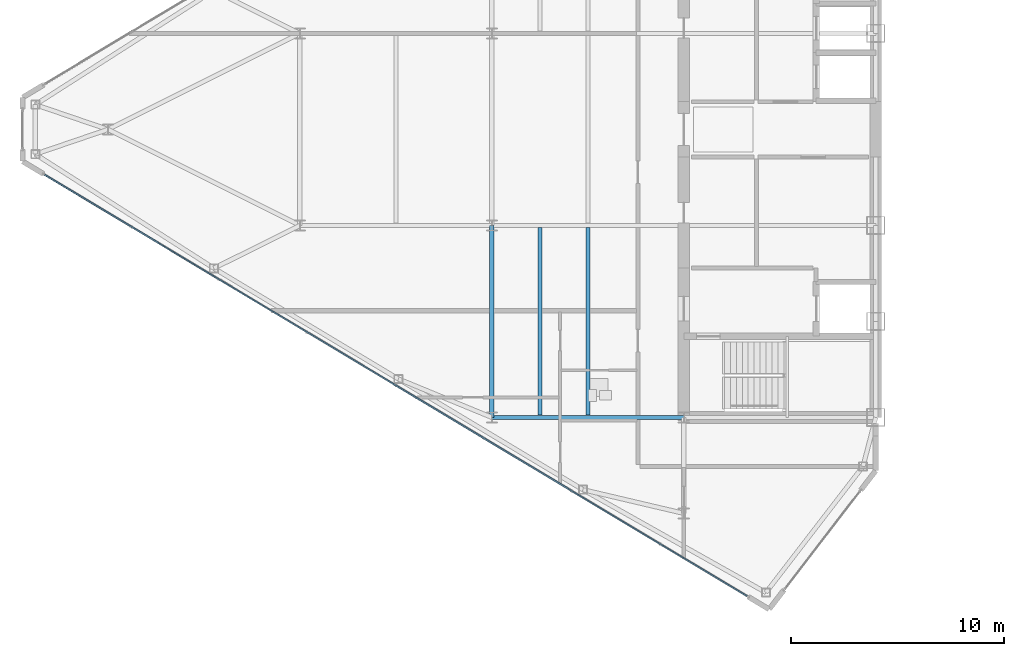
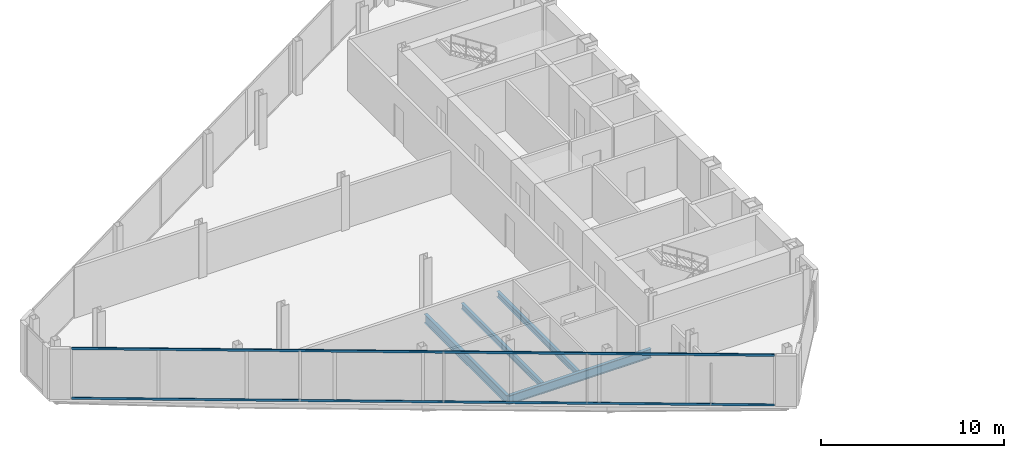
# One storey, part 6 of 25: 4 beams, 2 members, 1 element without a shape of its own.
"""IFC4 building model written with IfcOpenShell, lengths in metres."""

import ifcopenshell
import ifcopenshell.guid

model = None  # the IFC model being written
_history = None  # IfcOwnerHistory: only IFC2X3 demands one
_inside = {}  # id of a spatial element -> (the spatial element, [elements in it])
_under = {}  # id of a project, library or spatial element -> (it, [spatial elements below it])
_declared = {}  # id of a project -> (the project, [libraries it declares])
_typed = {}  # id of a type object -> (the type object, [elements of that type])
_made_of = {}  # id of a material, layer set ... -> (it, [elements and type objects made of it])


def new_model(schema):
    """Start an empty IFC model of exactly this schema.

    Asked for "IFC4X3", IfcOpenShell would pick the latest addendum, in which some entities
    have other attributes; the version numbers below select the first issue.
    IFC2X3 requires an IfcOwnerHistory on every rooted entity: one is made here for all.
    """
    global model, _history
    if schema == "IFC4X3":
        model = ifcopenshell.file(schema_version=(4, 3, 0, 0))
    else:
        model = ifcopenshell.file(schema=schema)
    _inside.clear()
    _under.clear()
    _declared.clear()
    _typed.clear()
    _made_of.clear()
    _history = None
    if model.schema == "IFC2X3":
        org = make("IfcOrganization", Name="unknown")
        user = make(
            "IfcPersonAndOrganization",
            ThePerson=make("IfcPerson", FamilyName="unknown"),
            TheOrganization=org,
        )
        app = make(
            "IfcApplication",
            ApplicationDeveloper=org,
            Version="unknown",
            ApplicationFullName="unknown",
            ApplicationIdentifier="unknown",
        )
        _history = make(
            "IfcOwnerHistory",
            OwningUser=user,
            OwningApplication=app,
            ChangeAction="ADDED",
            CreationDate=0,
        )
    return model


def make(cls, **values):
    """One entity of the class cls with the attributes given. An attribute that is None is left unset."""
    return model.create_entity(
        cls, **{name: value for name, value in values.items() if value is not None}
    )


def rooted(cls, **values):
    """An entity with a GlobalId (a new one), such as an element, a storey or a relation."""
    return make(cls, GlobalId=ifcopenshell.guid.new(), OwnerHistory=_history, **values)


def si_unit(unit_type, name, prefix=None):
    """IfcSIUnit, for example si_unit("LENGTHUNIT", "METRE", prefix="MILLI")."""
    return make("IfcSIUnit", UnitType=unit_type, Prefix=prefix, Name=name)


def assignment(units):
    """IfcUnitAssignment: the units of a project."""
    return None if units is None else make("IfcUnitAssignment", Units=units)


def point(xyz):
    """IfcCartesianPoint."""
    return None if xyz is None else make("IfcCartesianPoint", Coordinates=xyz)


def direction(xyz):
    """IfcDirection."""
    return None if xyz is None else make("IfcDirection", DirectionRatios=xyz)


def frame(location, z_axis=None, x_axis=None):
    """IfcAxis2Placement3D, a coordinate frame: its origin and axes. An axis left out is left unset."""
    return make(
        "IfcAxis2Placement3D",
        Location=point(location),
        Axis=direction(z_axis),
        RefDirection=direction(x_axis),
    )


def frame_2d(location, x_axis=None):
    """IfcAxis2Placement2D, a coordinate frame in the plane: its origin and x axis."""
    return make(
        "IfcAxis2Placement2D", Location=point(location), RefDirection=direction(x_axis)
    )


def origin():
    """The frame at (0, 0, 0) with its axes left unset."""
    return frame((0.0, 0.0, 0.0))


def origin_2d():
    """The frame at (0, 0) in the plane with its x axis left unset."""
    return frame_2d((0.0, 0.0))


def place(relative_to, where):
    """IfcLocalPlacement: puts the frame where relative to a parent placement (None: the world)."""
    return make(
        "IfcLocalPlacement", PlacementRelTo=relative_to, RelativePlacement=where
    )


def context(
    kind, dimensions, precision=None, world=None, true_north=None, identifier=None
):
    """IfcGeometricRepresentationContext, for example the 3D "Model" context."""
    return make(
        "IfcGeometricRepresentationContext",
        ContextIdentifier=identifier,
        ContextType=kind,
        CoordinateSpaceDimension=dimensions,
        Precision=precision,
        WorldCoordinateSystem=world,
        TrueNorth=true_north,
    )


def subcontext(parent, identifier, kind, view, scale=None):
    """IfcGeometricRepresentationSubContext, for example "Body" below "Model"."""
    return make(
        "IfcGeometricRepresentationSubContext",
        ContextIdentifier=identifier,
        ContextType=kind,
        ParentContext=parent,
        TargetScale=scale,
        TargetView=view,
    )


def project(units=None, contexts=None):
    """IfcProject with its units and contexts."""
    return rooted(
        "IfcProject",
        Name="project",
        RepresentationContexts=contexts,
        UnitsInContext=assignment(units),
    )


def spatial(cls, under=None, at=None, **own):
    """A site, building, storey or space (cls), placed at a placement, below another one or the project."""
    s = rooted(cls, ObjectPlacement=at, **own)
    if under is not None:
        _under.setdefault(under.id(), (under, []))[1].append(s)
    return s


def profile(cls, at=None, kind="AREA", **sizes):
    """A parametric profile (cls). Its sizes go by their IFC names, for example OverallWidth=200.0."""
    return make(cls, ProfileType=kind, Position=at, **sizes)


def rectangle(**sizes):
    """IfcRectangleProfileDef."""
    return profile("IfcRectangleProfileDef", **sizes)


def i_section(**sizes):
    """IfcIShapeProfileDef."""
    return profile("IfcIShapeProfileDef", **sizes)


def extrude(swept, where, along, depth):
    """IfcExtrudedAreaSolid: the profile swept, set in the frame where, extruded along a direction by depth."""
    return make(
        "IfcExtrudedAreaSolid",
        SweptArea=swept,
        Position=where,
        ExtrudedDirection=direction(along),
        Depth=depth,
    )


def shape(context_of_items, identifier, shape_type, items):
    """IfcShapeRepresentation: the items that make up one representation, for example the "Body"."""
    return make(
        "IfcShapeRepresentation",
        ContextOfItems=context_of_items,
        RepresentationIdentifier=identifier,
        RepresentationType=shape_type,
        Items=items,
    )


def source(mapping_origin, context_of_items, identifier, shape_type, items):
    """IfcRepresentationMap: a shape defined once, which mapped items show again and again."""
    return make(
        "IfcRepresentationMap",
        MappingOrigin=mapping_origin,
        MappedRepresentation=shape(context_of_items, identifier, shape_type, items),
    )


def transform(
    local_origin,
    x_axis=None,
    y_axis=None,
    z_axis=None,
    scale=None,
    scale2=None,
    scale3=None,
    uniform=True,
):
    """IfcCartesianTransformationOperator3D, or its non-uniform kind. x_axis, y_axis, z_axis: its Axis1, 2, 3."""
    if uniform:
        return make(
            "IfcCartesianTransformationOperator3D",
            Axis1=direction(x_axis),
            Axis2=direction(y_axis),
            LocalOrigin=point(local_origin),
            Scale=scale,
            Axis3=direction(z_axis),
        )
    return make(
        "IfcCartesianTransformationOperator3DnonUniform",
        Axis1=direction(x_axis),
        Axis2=direction(y_axis),
        LocalOrigin=point(local_origin),
        Scale=scale,
        Axis3=direction(z_axis),
        Scale2=scale2,
        Scale3=scale3,
    )


def mapped(mapping_source, mapping_target):
    """IfcMappedItem: shows the shape of a source again, moved by a transform."""
    return make(
        "IfcMappedItem", MappingSource=mapping_source, MappingTarget=mapping_target
    )


def material(Name=None, Category=None):
    """IfcMaterial."""
    return make("IfcMaterial", Name=Name, Category=Category)


def layer(
    of_material, thickness, ventilated=None, Name=None, Category=None, Priority=None
):
    """IfcMaterialLayer: one layer of a wall or slab, of a material (None: an air gap)."""
    return make(
        "IfcMaterialLayer",
        Material=of_material,
        LayerThickness=thickness,
        IsVentilated=ventilated,
        Name=Name,
        Category=Category,
        Priority=Priority,
    )


def layer_set(layers, Name=None):
    """IfcMaterialLayerSet."""
    return make("IfcMaterialLayerSet", MaterialLayers=layers, LayerSetName=Name)


def material_profile(
    of_material, cross_section, Name=None, Category=None, Priority=None
):
    """IfcMaterialProfile: a cross section and its material."""
    return make(
        "IfcMaterialProfile",
        Name=Name,
        Material=of_material,
        Profile=cross_section,
        Priority=Priority,
        Category=Category,
    )


def profile_set(profiles, Name=None, composite=None):
    """IfcMaterialProfileSet."""
    return make(
        "IfcMaterialProfileSet",
        Name=Name,
        MaterialProfiles=profiles,
        CompositeProfile=composite,
    )


def made_of(thing, what):
    """Note that an element or type object is made of a material, layer set ...; save() writes the relation."""
    if what is not None:
        _made_of.setdefault(what.id(), (what, []))[1].append(thing)
    return thing


def type_object(cls, material=None, **own):
    """A type object (cls), such as IfcWallType, which elements share."""
    return made_of(rooted(cls, **own), material)


def type_shapes(of_type, sources):
    """Give a type object the sources (RepresentationMaps) that its elements show as mapped items."""
    of_type.RepresentationMaps = sources


def element(
    cls,
    number,
    at=None,
    inside=None,
    cuts=None,
    type_object=None,
    material=None,
    context=None,
    identifier="Body",
    shape_type=None,
    held_by="IfcProductDefinitionShape",
    body=None,
    shapes=None,
    **own,
):
    """One element of the class cls, such as IfcWall. Its Tag is "e" and its number.

    at: its placement. inside: the storey or other place that contains it. cuts: it is an
    opening in that element (IfcRelVoidsElement). A single representation is given by context,
    identifier, shape_type and body (its items); several are given by shapes. held_by: the class
    of the entity that holds the representations. save() writes the other relations.
    """
    e = rooted(cls, Tag="e%d" % number, ObjectPlacement=at, **own)
    if body is not None:
        shapes = [shape(context, identifier, shape_type, body)]
    if shapes is not None:
        e.Representation = make(held_by, Representations=shapes)
    if inside is not None:
        _inside.setdefault(inside.id(), (inside, []))[1].append(e)
    if cuts is not None:
        rooted(
            "IfcRelVoidsElement", RelatingBuildingElement=cuts, RelatedOpeningElement=e
        )
    if type_object is not None:
        _typed.setdefault(type_object.id(), (type_object, []))[1].append(e)
    return made_of(e, material)


def aggregate(whole, parts):
    """IfcRelAggregates: a whole, such as a stair, and the parts it consists of."""
    return rooted("IfcRelAggregates", RelatingObject=whole, RelatedObjects=parts)


def save(model, path):
    """Write the relations noted so far, then the file.

    IfcRelAggregates (storeys below a building ...), IfcRelContainedInSpatialStructure (elements
    in a storey), IfcRelDefinesByType, IfcRelAssociatesMaterial and IfcRelDeclares: one each for
    every whole, place, type object, material and project.
    """
    for whole, parts in _under.values():
        aggregate(whole, parts)
    for where, things in _inside.values():
        rooted(
            "IfcRelContainedInSpatialStructure",
            RelatedElements=things,
            RelatingStructure=where,
        )
    for kind, things in _typed.values():
        rooted("IfcRelDefinesByType", RelatedObjects=things, RelatingType=kind)
    for what, things in _made_of.values():
        rooted("IfcRelAssociatesMaterial", RelatedObjects=things, RelatingMaterial=what)
    for by, libraries in _declared.values():
        rooted("IfcRelDeclares", RelatingContext=by, RelatedDefinitions=libraries)
    model.write(path)


model = new_model("IFC4")

# Units and contexts
model_context = context("Model", 3, precision=1e-05, world=origin(), true_north=direction((0.0, 1.0)))
body_context = subcontext(model_context, "Body", "Model", "MODEL_VIEW")
ifc_project = project(units=[si_unit("LENGTHUNIT", "METRE"), si_unit("AREAUNIT", "SQUARE_METRE"), si_unit("VOLUMEUNIT", "CUBIC_METRE"), si_unit("PLANEANGLEUNIT", "RADIAN"), si_unit("MASSUNIT", "GRAM", prefix="KILO")], contexts=[model_context])

# Site, building, storey
site_placement = place(None, origin())
site = spatial("IfcSite", under=ifc_project, at=site_placement, CompositionType="ELEMENT")
building_placement = place(site_placement, origin())
building = spatial("IfcBuilding", under=site, at=building_placement, Name="Seokmaru Belvedere", CompositionType="ELEMENT")
storey_placement = place(building_placement, frame((0.0, 0.0, 203.10009765625)))
storey = spatial("IfcBuildingStorey", under=building, at=storey_placement, Name="L54", CompositionType="ELEMENT", Elevation=203.10009765625)

# Beams
ifc_material_1 = material(Name="Steel SM355 (355 MPa)", Category="steel")
ifc_material_profile_1 = material_profile(ifc_material_1, i_section(OverallWidth=0.199951171875, OverallDepth=0.60009765625, WebThickness=0.010986328125, FlangeThickness=0.01708984375, at=origin_2d()), Name="H-600x200x11x17")
ifc_profile_set_1 = profile_set([ifc_material_profile_1], Name="Steel SM355 (355 MPa)")
beam_type_1 = type_object("IfcBeamType", Name="Primary Floor Girder H-600", PredefinedType="BEAM", material=ifc_profile_set_1)
shared_shape_1 = source(origin(), body_context, "Body", "SweptSolid", [
    extrude(i_section(OverallWidth=0.199951171875, OverallDepth=0.60009765625, WebThickness=0.010986328125, FlangeThickness=0.01708984375, at=origin_2d()), origin(), (0.0, 0.0, 1.0), 9.0),
])
type_shapes(beam_type_1, [shared_shape_1])
for number, where, z_axis, x_axis, name in (
    (1, (-45.5, -13.5, -0.52001953125), (0.0, 1.0, 0.0), (-1.0, 0.0, 0.0), "L54 W Interior Grid Girder 1"),
    (2, (-45.5, -13.5, -0.52001953125), (1.0, 0.0, 0.0), (0.0, 1.0, 0.0), "L54 W Wing Primary Girder 1"),
):
    element("IfcBeam", number, at=place(storey_placement, frame(where, z_axis=z_axis, x_axis=x_axis)), inside=storey, type_object=beam_type_1, Name=name, PredefinedType="BEAM", context=body_context, shape_type="MappedRepresentation", body=[
        mapped(shared_shape_1, transform((0.0, 0.0, 0.0), scale=1.0)),
    ])
ifc_material_profile_2 = material_profile(ifc_material_1, i_section(OverallWidth=0.18505859375, OverallDepth=0.389892578125, WebThickness=0.008056640625, FlangeThickness=0.011962890625, at=origin_2d()), Name="H-390x185x8x12")
ifc_profile_set_2 = profile_set([ifc_material_profile_2], Name="Steel SM355 (355 MPa)")
beam_type_2 = type_object("IfcBeamType", Name="Secondary Floor Joist H-350", PredefinedType="JOIST", material=ifc_profile_set_2)
shared_shape_2 = source(origin(), body_context, "Body", "SweptSolid", [
    extrude(i_section(OverallWidth=0.18505859375, OverallDepth=0.389892578125, WebThickness=0.008056640625, FlangeThickness=0.011962890625, at=origin_2d()), origin(), (0.0, 0.0, 1.0), 8.7900390625),
])
type_shapes(beam_type_2, [shared_shape_2])
for number, where, z_axis, x_axis, name in (
    (3, (-43.25, -13.39501953125, -0.4150390625), (0.0, 1.0, 0.0), (-1.0, 0.0, 0.0), "L54 W Wing Inner Secondary Joist 1"),
    (4, (-41.0, -13.39501953125, -0.4150390625), (0.0, 1.0, 0.0), (-1.0, 0.0, 0.0), "L54 W Secondary Floor Joist 1"),
):
    element("IfcBeam", number, at=place(storey_placement, frame(where, z_axis=z_axis, x_axis=x_axis)), inside=storey, type_object=beam_type_2, Name=name, PredefinedType="JOIST", context=body_context, shape_type="MappedRepresentation", body=[
        mapped(shared_shape_2, transform((0.0, 0.0, 0.0), scale=1.0)),
    ])

# Curtain wall, members
ifc_material_2 = material(Name="Bronze Triple Insulating Glass", Category="glass")
ifc_layer = layer(ifc_material_2, 0.179931640625)
ifc_layer_set = layer_set([ifc_layer], Name="Bronze Triple Insulating Glass")
curtain_wall_type = type_object("IfcCurtainWallType", Name="High-Rise Wind-Corner Curtain Wall System CW-5", PredefinedType="NOTDEFINED", material=ifc_layer_set)
curtain_wall_placement = place(storey_placement, origin())
curtain_wall = element("IfcCurtainWall", 5, at=curtain_wall_placement, inside=storey, type_object=curtain_wall_type, Name="L54 Curtain Wall WF5", PredefinedType="NOTDEFINED")
ifc_material_3 = material(Name="Anodised Bronze Aluminium", Category="aluminium")
ifc_material_profile_3 = material_profile(ifc_material_3, rectangle(XDim=0.06494140625, YDim=0.14990234375, at=origin_2d()), Name="CW-T-65x150")
ifc_profile_set_3 = profile_set([ifc_material_profile_3], Name="Anodised Bronze Aluminium")
member_type = type_object("IfcMemberType", Name="Bronze Unitised Transom 65x150", PredefinedType="USERDEFINED", material=ifc_profile_set_3)
shared_shape_3 = source(origin(), body_context, "Body", "SweptSolid", [
    extrude(rectangle(XDim=0.06494140625, YDim=0.14990234375, at=origin_2d()), origin(), (0.0, 0.0, 1.0), 38.386962890625),
])
type_shapes(member_type, [shared_shape_3])
member_1_placement = place(storey_placement, frame((-66.458251953125, -2.125, 0.032470703125), z_axis=(0.85749180336, -0.514497626011, 0.0), x_axis=(0.514497626011, 0.85749180336, 0.0)))
member_1 = element("IfcMember", 6, at=member_1_placement, type_object=member_type, Name="CW:L54:WF5 Continuous Transom 1", ObjectType="TRANSOM", PredefinedType="USERDEFINED", context=body_context, shape_type="MappedRepresentation", body=[
    mapped(shared_shape_3, transform((0.0, 0.0, 0.0), scale=1.0)),
])
member_2_placement = place(storey_placement, frame((-66.458251953125, -2.125, 3.347412109375), z_axis=(0.85749180336, -0.514497626011, 0.0), x_axis=(0.514497626011, 0.85749180336, 0.0)))
member_2 = element("IfcMember", 7, at=member_2_placement, type_object=member_type, Name="CW:L54:WF5 Continuous Transom 2", ObjectType="TRANSOM", PredefinedType="USERDEFINED", context=body_context, shape_type="MappedRepresentation", body=[
    mapped(shared_shape_3, transform((0.0, 0.0, 0.0), scale=1.0)),
])
aggregate(curtain_wall, [member_1, member_2])

save(model, "model.ifc")
